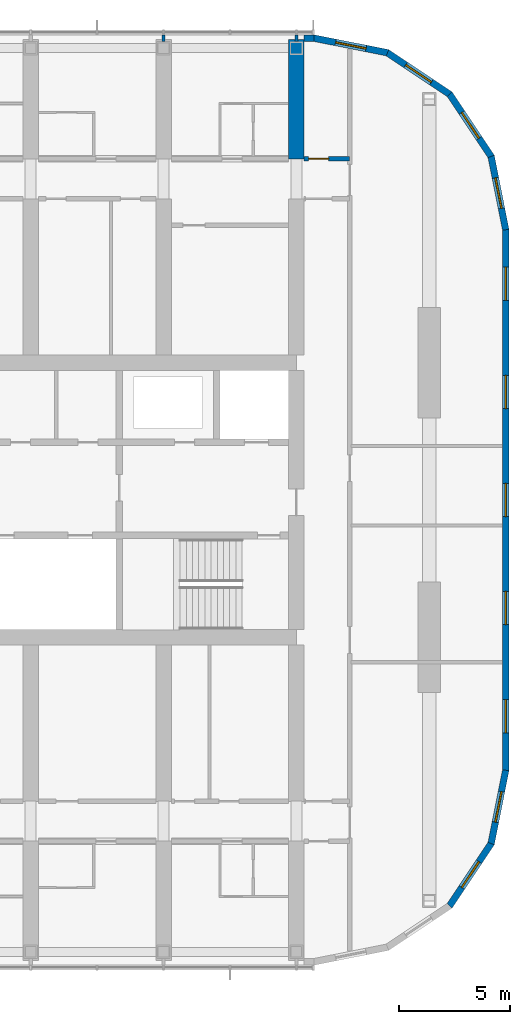
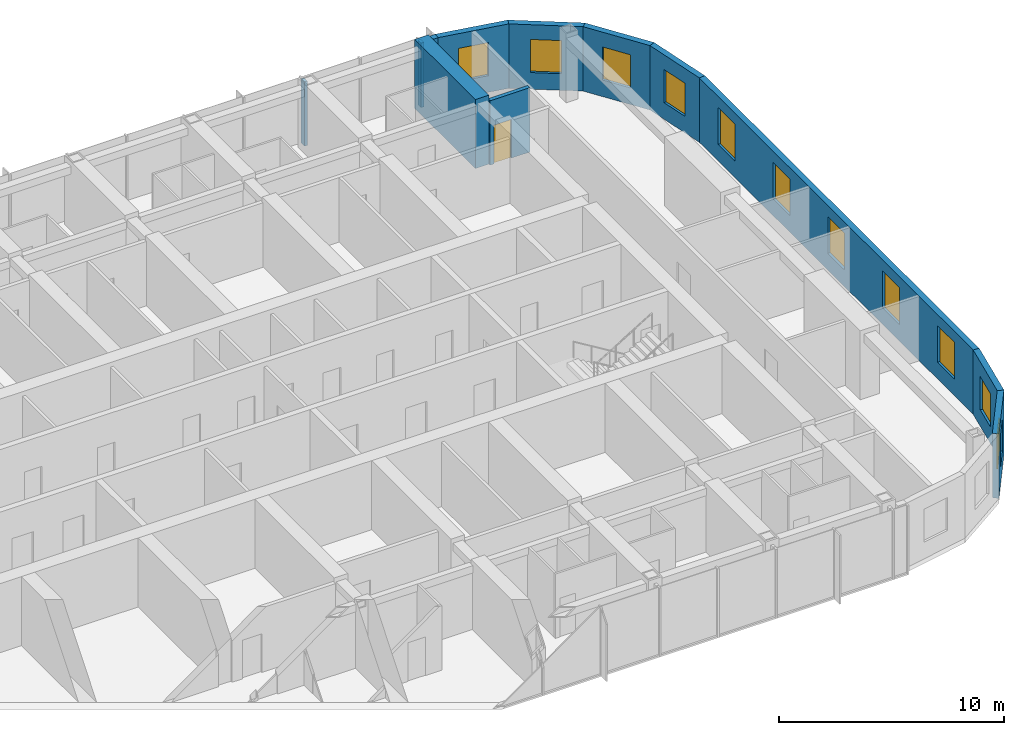
# One storey, part 18 of 23: 12 walls, 11 windows, 1 door, 12 openings.
"""IFC4 building model written with IfcOpenShell, lengths in metres."""

from ifc_helpers import new_model, si_unit, direction, frame, frame_2d, origin, place, context, subcontext, project, spatial, polyline, rectangle, outline, extrude, material, layer, layer_set, type_object, element, fill, save


model = new_model("IFC4")

# Units and contexts
model_context = context("Model", 3, precision=1e-05, world=origin(), true_north=direction((0.0, 1.0)))
body_context = subcontext(model_context, "Body", "Model", "MODEL_VIEW")
ifc_project = project(units=[si_unit("LENGTHUNIT", "METRE"), si_unit("AREAUNIT", "SQUARE_METRE"), si_unit("VOLUMEUNIT", "CUBIC_METRE"), si_unit("PLANEANGLEUNIT", "RADIAN"), si_unit("MASSUNIT", "GRAM", prefix="KILO")], contexts=[model_context])

# Site, building, storey
site_placement = place(None, origin())
site = spatial("IfcSite", under=ifc_project, at=site_placement, CompositionType="ELEMENT")
building_placement = place(site_placement, origin())
building = spatial("IfcBuilding", under=site, at=building_placement, Name="Orbita Commons", CompositionType="ELEMENT")
storey_placement = place(building_placement, frame((0.0, 0.0, 224.050048828125)))
storey = spatial("IfcBuildingStorey", under=building, at=storey_placement, Name="L55", CompositionType="ELEMENT", Elevation=224.050048828125)

# Wall, opening, door
ifc_material_1 = material(Name="Concrete blockwork", Category="masonry")
ifc_layer_1 = layer(ifc_material_1, 0.199951171875)
ifc_layer_set_1 = layer_set([ifc_layer_1], Name="Concrete blockwork")
wall_type_1 = type_object("IfcWallType", Name="Corridor wall 200 blockwork", PredefinedType="SOLIDWALL", material=ifc_layer_set_1)
wall_1_placement = place(storey_placement, frame((66.35009765625, 47.39990234375, 0.0), z_axis=(0.0, 0.0, 1.0), x_axis=(1.0, 0.0, 0.0)))
wall_1 = element("IfcWall", 1, at=wall_1_placement, inside=storey, type_object=wall_type_1, Name="Corridor wall 200 blockwork L55", PredefinedType="SOLIDWALL", context=body_context, shape_type="SweptSolid", body=[
    extrude(rectangle(XDim=2.0498046875, YDim=0.199951171875, at=frame_2d((1.02490234375, 0.0))), origin(), (0.0, 0.0, 1.0), 3.5),
])
opening_1_placement = place(wall_1_placement, frame((0.199951171875, 0.0, 0.0)))
opening_1 = element("IfcOpeningElement", 2, at=opening_1_placement, cuts=wall_1, Name="Opening D05", PredefinedType="OPENING", context=body_context, shape_type="SweptSolid", body=[
    extrude(rectangle(XDim=0.89990234375, YDim=2.10009765625, at=frame_2d((0.449951171875, 1.050048828125))), frame((0.0, 0.10986328125, 0.0), z_axis=(0.0, -1.0, 0.0), x_axis=(1.0, 0.0, 0.0)), (0.0, 0.0, 1.0), 0.219970703125),
])
ifc_material_2 = material(Name="Steel-faced fire door leaf", Category="steel")
door_type = type_object("IfcDoorType", Name="Service door 20 min 900x2100", OperationType="SINGLE_SWING_LEFT", PredefinedType="DOOR", material=ifc_material_2)
door_placement = place(opening_1_placement, origin())
door = element("IfcDoor", 3, at=door_placement, inside=storey, type_object=door_type, Name="Linen store L55-KEN door", OperationType="SINGLE_SWING_LEFT", OverallHeight=2.10009765625, OverallWidth=0.89990234375, PredefinedType="DOOR", context=body_context, shape_type="SweptSolid", body=[
    extrude(rectangle(XDim=0.89990234375, YDim=2.10009765625, at=frame_2d((0.449951171875, 1.050048828125))), frame((0.0, 0.02490234375, 0.0), z_axis=(0.0, -1.0, 0.0), x_axis=(1.0, 0.0, 0.0)), (0.0, 0.0, 1.0), 0.050048828125),
])
fill(opening_1, door)

# Walls
ifc_material_3 = material(Name="Concrete C50/60", Category="concrete")
ifc_layer_2 = layer(ifc_material_3, 0.699951171875)
ifc_layer_set_2 = layer_set([ifc_layer_2], Name="Concrete C50/60")
wall_type_2 = type_object("IfcWallType", Name="Cross wall 700 C50/60", PredefinedType="SHEAR", material=ifc_layer_set_2)
wall_2_placement = place(storey_placement, frame((66.0, 47.39990234375, 0.0), z_axis=(0.0, 0.0, 1.0), x_axis=(0.0, 1.0, 0.0)))
element("IfcWall", 4, at=wall_2_placement, inside=storey, type_object=wall_type_2, Name="Cross wall 12 north outer L55", PredefinedType="SHEAR", context=body_context, shape_type="SweptSolid", body=[
    extrude(rectangle(XDim=5.400146484375, YDim=0.699951171875, at=frame_2d((2.7001953125, 0.0))), origin(), (0.0, 0.0, 1.0), 3.75),
])
ifc_material_4 = material(Name="Gypsum plasterboard on steel studs", Category="steel")
ifc_layer_3 = layer(ifc_material_4, 0.14990234375)
ifc_layer_set_3 = layer_set([ifc_layer_3], Name="Gypsum plasterboard on steel studs")
wall_type_3 = type_object("IfcWallType", Name="Partition 150 plasterboard", PredefinedType="PARTITIONING", material=ifc_layer_set_3)
for number, where, z_axis, x_axis, name in (
    (5, (60.0, 52.699951171875, 0.0), (0.0, 0.0, 1.0), (0.0, 1.0, 0.0), "Partition 150 plasterboard L55"),
    (6, (66.0, 52.699951171875, 0.0), (0.0, 0.0, 1.0), (0.0, 1.0, 0.0), "Partition 150 plasterboard L55"),
):
    element("IfcWall", number, at=place(storey_placement, frame(where, z_axis=z_axis, x_axis=x_axis)), inside=storey, type_object=wall_type_3, Name=name, PredefinedType="PARTITIONING", context=body_context, shape_type="SweptSolid", body=[
        extrude(rectangle(XDim=0.2900390625, YDim=0.14990234375, at=frame_2d((0.14501953125, 0.0))), origin(), (0.0, 0.0, 1.0), 3.5),
    ])

# Wall, openings, windows
ifc_material_5 = material(Name="Precast concrete C40/50, white board-marked finish", Category="concrete")
ifc_layer_4 = layer(ifc_material_5, 0.300048828125)
ifc_layer_set_4 = layer_set([ifc_layer_4], Name="Precast concrete C40/50, white board-marked finish")
wall_type_4 = type_object("IfcWallType", Name="Precast concrete end shield 300", PredefinedType="SOLIDWALL", material=ifc_layer_set_4)
wall_3_placement = place(storey_placement, frame((75.449951171875, 19.800048828125, 0.0), z_axis=(0.0, 0.0, 1.0), x_axis=(0.0, 1.0, 0.0)))
wall_3 = element("IfcWall", 7, at=wall_3_placement, inside=storey, type_object=wall_type_4, Name="End shield E L55", PredefinedType="SOLIDWALL", context=body_context, shape_type="SweptSolid", body=[
    extrude(outline(polyline([(-0.014892578125, -0.14990234375), (24.414794921875, -0.14990234375), (24.385009765625, 0.14990234375), (0.014892578125, 0.14990234375), (-0.014892578125, -0.14990234375)])), origin(), (0.0, 0.0, 1.0), 3.5),
])
opening_2_placement = place(wall_3_placement, frame((1.68994140625, 0.0, 0.89990234375)))
opening_2 = element("IfcOpeningElement", 8, at=opening_2_placement, cuts=wall_3, Name="Opening W01", PredefinedType="OPENING", context=body_context, shape_type="SweptSolid", body=[
    extrude(rectangle(XDim=1.5, YDim=2.0, at=frame_2d((0.75, 1.0))), frame((0.0, 0.159912109375, 0.0), z_axis=(0.0, -1.0, 0.0), x_axis=(1.0, 0.0, 0.0)), (0.0, 0.0, 1.0), 0.320068359375),
])
opening_3_placement = place(wall_3_placement, frame((6.570068359375, 0.0, 0.89990234375)))
opening_3 = element("IfcOpeningElement", 9, at=opening_3_placement, cuts=wall_3, Name="Opening W01", PredefinedType="OPENING", context=body_context, shape_type="SweptSolid", body=[
    extrude(rectangle(XDim=1.5, YDim=2.0, at=frame_2d((0.75, 1.0))), frame((0.0, 0.159912109375, 0.0), z_axis=(0.0, -1.0, 0.0), x_axis=(1.0, 0.0, 0.0)), (0.0, 0.0, 1.0), 0.320068359375),
])
opening_4_placement = place(wall_3_placement, frame((11.449951171875, 0.0, 0.89990234375)))
opening_4 = element("IfcOpeningElement", 10, at=opening_4_placement, cuts=wall_3, Name="Opening W01", PredefinedType="OPENING", context=body_context, shape_type="SweptSolid", body=[
    extrude(rectangle(XDim=1.5, YDim=2.0, at=frame_2d((0.75, 1.0))), frame((0.0, 0.159912109375, 0.0), z_axis=(0.0, -1.0, 0.0), x_axis=(1.0, 0.0, 0.0)), (0.0, 0.0, 1.0), 0.320068359375),
])
opening_5_placement = place(wall_3_placement, frame((16.330078125, 0.0, 0.89990234375)))
opening_5 = element("IfcOpeningElement", 11, at=opening_5_placement, cuts=wall_3, Name="Opening W01", PredefinedType="OPENING", context=body_context, shape_type="SweptSolid", body=[
    extrude(rectangle(XDim=1.5, YDim=2.0, at=frame_2d((0.75, 1.0))), frame((0.0, 0.159912109375, 0.0), z_axis=(0.0, -1.0, 0.0), x_axis=(1.0, 0.0, 0.0)), (0.0, 0.0, 1.0), 0.320068359375),
])
opening_6_placement = place(wall_3_placement, frame((21.2099609375, 0.0, 0.89990234375)))
opening_6 = element("IfcOpeningElement", 12, at=opening_6_placement, cuts=wall_3, Name="Opening W01", PredefinedType="OPENING", context=body_context, shape_type="SweptSolid", body=[
    extrude(rectangle(XDim=1.5, YDim=2.0, at=frame_2d((0.75, 1.0))), frame((0.0, 0.159912109375, 0.0), z_axis=(0.0, -1.0, 0.0), x_axis=(1.0, 0.0, 0.0)), (0.0, 0.0, 1.0), 0.320068359375),
])
ifc_material_6 = material(Name="Aluminium frame, clear double glazing", Category="aluminium")
window_type_1 = type_object("IfcWindowType", Name="Deep-set window 1500x2000", PartitioningType="SINGLE_PANEL", PredefinedType="WINDOW", material=ifc_material_6)
window_1_placement = place(opening_2_placement, origin())
window_1 = element("IfcWindow", 13, at=window_1_placement, inside=storey, type_object=window_type_1, Name="Window L55-E 1", OverallHeight=2.0, OverallWidth=1.5, PartitioningType="SINGLE_PANEL", PredefinedType="WINDOW", context=body_context, shape_type="SweptSolid", body=[
    extrude(rectangle(XDim=1.5, YDim=2.0, at=frame_2d((0.75, 1.0))), frame((0.0, 0.030029296875, 0.0), z_axis=(0.0, -1.0, 0.0), x_axis=(1.0, 0.0, 0.0)), (0.0, 0.0, 1.0), 0.06005859375),
])
fill(opening_2, window_1)
window_2_placement = place(opening_3_placement, origin())
window_2 = element("IfcWindow", 14, at=window_2_placement, inside=storey, type_object=window_type_1, Name="Window L55-E 2", OverallHeight=2.0, OverallWidth=1.5, PartitioningType="SINGLE_PANEL", PredefinedType="WINDOW", context=body_context, shape_type="SweptSolid", body=[
    extrude(rectangle(XDim=1.5, YDim=2.0, at=frame_2d((0.75, 1.0))), frame((0.0, 0.030029296875, 0.0), z_axis=(0.0, -1.0, 0.0), x_axis=(1.0, 0.0, 0.0)), (0.0, 0.0, 1.0), 0.06005859375),
])
fill(opening_3, window_2)
window_3_placement = place(opening_4_placement, origin())
window_3 = element("IfcWindow", 15, at=window_3_placement, inside=storey, type_object=window_type_1, Name="Window L55-E 3", OverallHeight=2.0, OverallWidth=1.5, PartitioningType="SINGLE_PANEL", PredefinedType="WINDOW", context=body_context, shape_type="SweptSolid", body=[
    extrude(rectangle(XDim=1.5, YDim=2.0, at=frame_2d((0.75, 1.0))), frame((0.0, 0.030029296875, 0.0), z_axis=(0.0, -1.0, 0.0), x_axis=(1.0, 0.0, 0.0)), (0.0, 0.0, 1.0), 0.06005859375),
])
fill(opening_4, window_3)
window_4_placement = place(opening_5_placement, origin())
window_4 = element("IfcWindow", 16, at=window_4_placement, inside=storey, type_object=window_type_1, Name="Window L55-E 4", OverallHeight=2.0, OverallWidth=1.5, PartitioningType="SINGLE_PANEL", PredefinedType="WINDOW", context=body_context, shape_type="SweptSolid", body=[
    extrude(rectangle(XDim=1.5, YDim=2.0, at=frame_2d((0.75, 1.0))), frame((0.0, 0.030029296875, 0.0), z_axis=(0.0, -1.0, 0.0), x_axis=(1.0, 0.0, 0.0)), (0.0, 0.0, 1.0), 0.06005859375),
])
fill(opening_5, window_4)
window_5_placement = place(opening_6_placement, origin())
window_5 = element("IfcWindow", 17, at=window_5_placement, inside=storey, type_object=window_type_1, Name="Window L55-E 5", OverallHeight=2.0, OverallWidth=1.5, PartitioningType="SINGLE_PANEL", PredefinedType="WINDOW", context=body_context, shape_type="SweptSolid", body=[
    extrude(rectangle(XDim=1.5, YDim=2.0, at=frame_2d((0.75, 1.0))), frame((0.0, 0.030029296875, 0.0), z_axis=(0.0, -1.0, 0.0), x_axis=(1.0, 0.0, 0.0)), (0.0, 0.0, 1.0), 0.06005859375),
])
fill(opening_6, window_5)

# Wall, opening, window
wall_4_placement = place(storey_placement, frame((72.91650390625, 13.68359375, 0.0), z_axis=(0.0, 0.0, 1.0), x_axis=(0.555567969291, 0.831471124873, 0.0)))
wall_4 = element("IfcWall", 18, at=wall_4_placement, inside=storey, type_object=wall_type_4, Name="End shield SE chord 3 L55", PredefinedType="SOLIDWALL", context=body_context, shape_type="SweptSolid", body=[
    extrude(outline(polyline([(-0.02978515625, -0.14990234375), (3.40478515625, -0.14990234375), (3.34521484375, 0.14990234375), (0.02978515625, 0.14990234375), (-0.02978515625, -0.14990234375)])), origin(), (0.0, 0.0, 1.0), 3.5),
])
opening_7_placement = place(wall_4_placement, frame((0.987548828125, 0.0, 0.89990234375)))
opening_7 = element("IfcOpeningElement", 19, at=opening_7_placement, cuts=wall_4, Name="Opening W02", PredefinedType="OPENING", context=body_context, shape_type="SweptSolid", body=[
    extrude(rectangle(XDim=1.39990234375, YDim=1.800048828125, at=frame_2d((0.699951171875, 0.89990234375))), frame((0.0, 0.159912109375, 0.0), z_axis=(0.0, -1.0, 0.0), x_axis=(1.0, 0.0, 0.0)), (0.0, 0.0, 1.0), 0.320068359375),
])
ifc_material_7 = material(Name="Aluminium frame, clear double glazing", Category="aluminium")
window_type_2 = type_object("IfcWindowType", Name="Deep-set window 1400x1800", PartitioningType="SINGLE_PANEL", PredefinedType="WINDOW", material=ifc_material_7)
window_6_placement = place(opening_7_placement, origin())
window_6 = element("IfcWindow", 20, at=window_6_placement, inside=storey, type_object=window_type_2, Name="Window L55-SE2", OverallHeight=1.800048828125, OverallWidth=1.39990234375, PartitioningType="SINGLE_PANEL", PredefinedType="WINDOW", context=body_context, shape_type="SweptSolid", body=[
    extrude(rectangle(XDim=1.39990234375, YDim=1.800048828125, at=frame_2d((0.699951171875, 0.89990234375))), frame((0.0, 0.030029296875, 0.0), z_axis=(0.0, -1.0, 0.0), x_axis=(1.0, 0.0, 0.0)), (0.0, 0.0, 1.0), 0.06005859375),
])
fill(opening_7, window_6)

wall_5_placement = place(storey_placement, frame((74.79150390625, 16.48974609375, 0.0), z_axis=(0.0, 0.0, 1.0), x_axis=(0.19508664885, 0.980786011034, 0.0)))
wall_5 = element("IfcWall", 21, at=wall_5_placement, inside=storey, type_object=wall_type_4, Name="End shield SE chord 4 L55", PredefinedType="SOLIDWALL", context=body_context, shape_type="SweptSolid", body=[
    extrude(outline(polyline([(-0.02978515625, -0.14990234375), (3.39013671875, -0.14990234375), (3.3603515625, 0.14990234375), (0.02978515625, 0.14990234375), (-0.02978515625, -0.14990234375)])), origin(), (0.0, 0.0, 1.0), 3.5),
])
opening_8_placement = place(wall_5_placement, frame((0.987548828125, 0.0, 0.89990234375)))
opening_8 = element("IfcOpeningElement", 22, at=opening_8_placement, cuts=wall_5, Name="Opening W02", PredefinedType="OPENING", context=body_context, shape_type="SweptSolid", body=[
    extrude(rectangle(XDim=1.39990234375, YDim=1.800048828125, at=frame_2d((0.699951171875, 0.89990234375))), frame((0.0, 0.159912109375, 0.0), z_axis=(0.0, -1.0, 0.0), x_axis=(1.0, 0.0, 0.0)), (0.0, 0.0, 1.0), 0.320068359375),
])
window_7_placement = place(opening_8_placement, origin())
window_7 = element("IfcWindow", 23, at=window_7_placement, inside=storey, type_object=window_type_2, Name="Window L55-SE3", OverallHeight=1.800048828125, OverallWidth=1.39990234375, PartitioningType="SINGLE_PANEL", PredefinedType="WINDOW", context=body_context, shape_type="SweptSolid", body=[
    extrude(rectangle(XDim=1.39990234375, YDim=1.800048828125, at=frame_2d((0.699951171875, 0.89990234375))), frame((0.0, 0.030029296875, 0.0), z_axis=(0.0, -1.0, 0.0), x_axis=(1.0, 0.0, 0.0)), (0.0, 0.0, 1.0), 0.06005859375),
])
fill(opening_8, window_7)

wall_6_placement = place(storey_placement, frame((75.449951171875, 44.199951171875, 0.0), z_axis=(0.0, 0.0, 1.0), x_axis=(-0.19508664885, 0.980786011034, 0.0)))
wall_6 = element("IfcWall", 24, at=wall_6_placement, inside=storey, type_object=wall_type_4, Name="End shield NE chord 1 L55", PredefinedType="SOLIDWALL", context=body_context, shape_type="SweptSolid", body=[
    extrude(outline(polyline([(-0.014892578125, -0.14990234375), (3.405029296875, -0.14990234375), (3.345458984375, 0.14990234375), (0.014892578125, 0.14990234375), (-0.014892578125, -0.14990234375)])), origin(), (0.0, 0.0, 1.0), 3.5),
])
opening_9_placement = place(wall_6_placement, frame((0.987548828125, 0.0, 0.89990234375)))
opening_9 = element("IfcOpeningElement", 25, at=opening_9_placement, cuts=wall_6, Name="Opening W02", PredefinedType="OPENING", context=body_context, shape_type="SweptSolid", body=[
    extrude(rectangle(XDim=1.39990234375, YDim=1.800048828125, at=frame_2d((0.699951171875, 0.89990234375))), frame((0.0, 0.159912109375, 0.0), z_axis=(0.0, -1.0, 0.0), x_axis=(1.0, 0.0, 0.0)), (0.0, 0.0, 1.0), 0.320068359375),
])
window_8_placement = place(opening_9_placement, origin())
window_8 = element("IfcWindow", 26, at=window_8_placement, inside=storey, type_object=window_type_2, Name="Window L55-NE0", OverallHeight=1.800048828125, OverallWidth=1.39990234375, PartitioningType="SINGLE_PANEL", PredefinedType="WINDOW", context=body_context, shape_type="SweptSolid", body=[
    extrude(rectangle(XDim=1.39990234375, YDim=1.800048828125, at=frame_2d((0.699951171875, 0.89990234375))), frame((0.0, 0.030029296875, 0.0), z_axis=(0.0, -1.0, 0.0), x_axis=(1.0, 0.0, 0.0)), (0.0, 0.0, 1.0), 0.06005859375),
])
fill(opening_9, window_8)

wall_7_placement = place(storey_placement, frame((74.79150390625, 47.51025390625, 0.0), z_axis=(0.0, 0.0, 1.0), x_axis=(-0.555567969291, 0.831471124873, 0.0)))
wall_7 = element("IfcWall", 27, at=wall_7_placement, inside=storey, type_object=wall_type_4, Name="End shield NE chord 2 L55", PredefinedType="SOLIDWALL", context=body_context, shape_type="SweptSolid", body=[
    extrude(outline(polyline([(-0.02978515625, -0.14990234375), (3.40478515625, -0.14990234375), (3.34521484375, 0.14990234375), (0.02978515625, 0.14990234375), (-0.02978515625, -0.14990234375)])), origin(), (0.0, 0.0, 1.0), 3.5),
])
opening_10_placement = place(wall_7_placement, frame((0.987548828125, 0.0, 0.89990234375)))
opening_10 = element("IfcOpeningElement", 28, at=opening_10_placement, cuts=wall_7, Name="Opening W02", PredefinedType="OPENING", context=body_context, shape_type="SweptSolid", body=[
    extrude(rectangle(XDim=1.39990234375, YDim=1.800048828125, at=frame_2d((0.699951171875, 0.89990234375))), frame((0.0, 0.159912109375, 0.0), z_axis=(0.0, -1.0, 0.0), x_axis=(1.0, 0.0, 0.0)), (0.0, 0.0, 1.0), 0.320068359375),
])
window_9_placement = place(opening_10_placement, origin())
window_9 = element("IfcWindow", 29, at=window_9_placement, inside=storey, type_object=window_type_2, Name="Window L55-NE1", OverallHeight=1.800048828125, OverallWidth=1.39990234375, PartitioningType="SINGLE_PANEL", PredefinedType="WINDOW", context=body_context, shape_type="SweptSolid", body=[
    extrude(rectangle(XDim=1.39990234375, YDim=1.800048828125, at=frame_2d((0.699951171875, 0.89990234375))), frame((0.0, 0.030029296875, 0.0), z_axis=(0.0, -1.0, 0.0), x_axis=(1.0, 0.0, 0.0)), (0.0, 0.0, 1.0), 0.06005859375),
])
fill(opening_10, window_9)

wall_8_placement = place(storey_placement, frame((72.91650390625, 50.31640625, 0.0), z_axis=(0.0, 0.0, 1.0), x_axis=(-0.831460037396, 0.555584562613, 0.0)))
wall_8 = element("IfcWall", 30, at=wall_8_placement, inside=storey, type_object=wall_type_4, Name="End shield NE chord 3 L55", PredefinedType="SOLIDWALL", context=body_context, shape_type="SweptSolid", body=[
    extrude(outline(polyline([(-0.02978515625, -0.14990234375), (3.405029296875, -0.14990234375), (3.345458984375, 0.14990234375), (0.02978515625, 0.14990234375), (-0.02978515625, -0.14990234375)])), origin(), (0.0, 0.0, 1.0), 3.5),
])
opening_11_placement = place(wall_8_placement, frame((0.987548828125, 0.0, 0.89990234375)))
opening_11 = element("IfcOpeningElement", 31, at=opening_11_placement, cuts=wall_8, Name="Opening W02", PredefinedType="OPENING", context=body_context, shape_type="SweptSolid", body=[
    extrude(rectangle(XDim=1.39990234375, YDim=1.800048828125, at=frame_2d((0.699951171875, 0.89990234375))), frame((0.0, 0.159912109375, 0.0), z_axis=(0.0, -1.0, 0.0), x_axis=(1.0, 0.0, 0.0)), (0.0, 0.0, 1.0), 0.320068359375),
])
window_10_placement = place(opening_11_placement, origin())
window_10 = element("IfcWindow", 32, at=window_10_placement, inside=storey, type_object=window_type_2, Name="Window L55-NE2", OverallHeight=1.800048828125, OverallWidth=1.39990234375, PartitioningType="SINGLE_PANEL", PredefinedType="WINDOW", context=body_context, shape_type="SweptSolid", body=[
    extrude(rectangle(XDim=1.39990234375, YDim=1.800048828125, at=frame_2d((0.699951171875, 0.89990234375))), frame((0.0, 0.030029296875, 0.0), z_axis=(0.0, -1.0, 0.0), x_axis=(1.0, 0.0, 0.0)), (0.0, 0.0, 1.0), 0.06005859375),
])
fill(opening_11, window_10)

wall_9_placement = place(storey_placement, frame((70.110107421875, 52.191650390625, 0.0), z_axis=(0.0, 0.0, 1.0), x_axis=(-0.98078325777, 0.195100490205, 0.0)))
wall_9 = element("IfcWall", 33, at=wall_9_placement, inside=storey, type_object=wall_type_4, Name="End shield NE chord 4 L55", PredefinedType="SOLIDWALL", context=body_context, shape_type="SweptSolid", body=[
    extrude(outline(polyline([(-0.02978515625, -0.14990234375), (3.40478515625, -0.14990234375), (3.34521484375, 0.14990234375), (0.02978515625, 0.14990234375), (-0.02978515625, -0.14990234375)])), origin(), (0.0, 0.0, 1.0), 3.5),
])
opening_12_placement = place(wall_9_placement, frame((0.987548828125, 0.0, 0.89990234375)))
opening_12 = element("IfcOpeningElement", 34, at=opening_12_placement, cuts=wall_9, Name="Opening W02", PredefinedType="OPENING", context=body_context, shape_type="SweptSolid", body=[
    extrude(rectangle(XDim=1.39990234375, YDim=1.800048828125, at=frame_2d((0.699951171875, 0.89990234375))), frame((0.0, 0.159912109375, 0.0), z_axis=(0.0, -1.0, 0.0), x_axis=(1.0, 0.0, 0.0)), (0.0, 0.0, 1.0), 0.320068359375),
])
window_11_placement = place(opening_12_placement, origin())
window_11 = element("IfcWindow", 35, at=window_11_placement, inside=storey, type_object=window_type_2, Name="Window L55-NE3", OverallHeight=1.800048828125, OverallWidth=1.39990234375, PartitioningType="SINGLE_PANEL", PredefinedType="WINDOW", context=body_context, shape_type="SweptSolid", body=[
    extrude(rectangle(XDim=1.39990234375, YDim=1.800048828125, at=frame_2d((0.699951171875, 0.89990234375))), frame((0.0, 0.030029296875, 0.0), z_axis=(0.0, -1.0, 0.0), x_axis=(1.0, 0.0, 0.0)), (0.0, 0.0, 1.0), 0.06005859375),
])
fill(opening_12, window_11)

# Wall
wall_10_placement = place(storey_placement, frame((66.800048828125, 52.85009765625, 0.0), z_axis=(0.0, 0.0, 1.0), x_axis=(-1.0, 0.0, 0.0)))
element("IfcWall", 36, at=wall_10_placement, inside=storey, type_object=wall_type_4, Name="End shield NE closer L55", PredefinedType="SOLIDWALL", context=body_context, shape_type="SweptSolid", body=[
    extrude(rectangle(XDim=0.449951171875, YDim=0.300048828125, at=frame_2d((0.22509765625, 0.0))), origin(), (0.0, 0.0, 1.0), 3.5),
])

save(model, "model.ifc")
